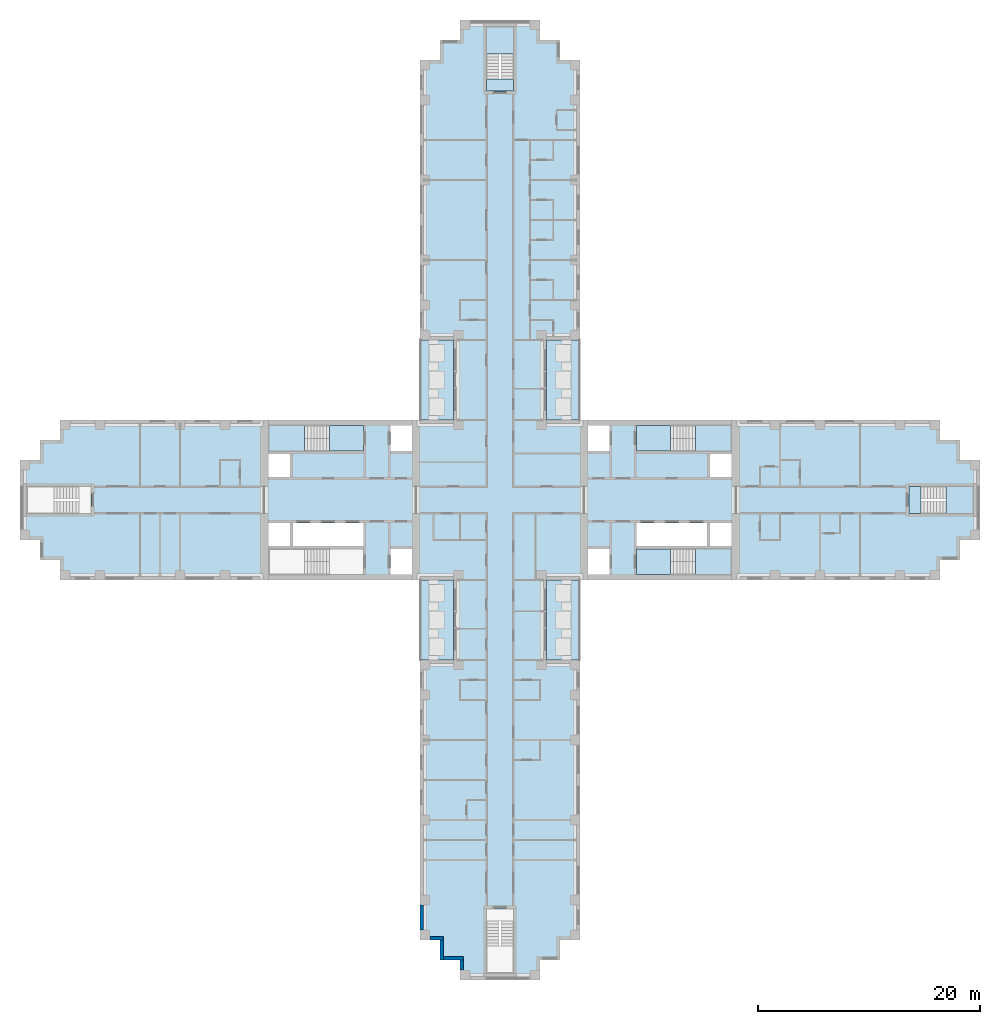
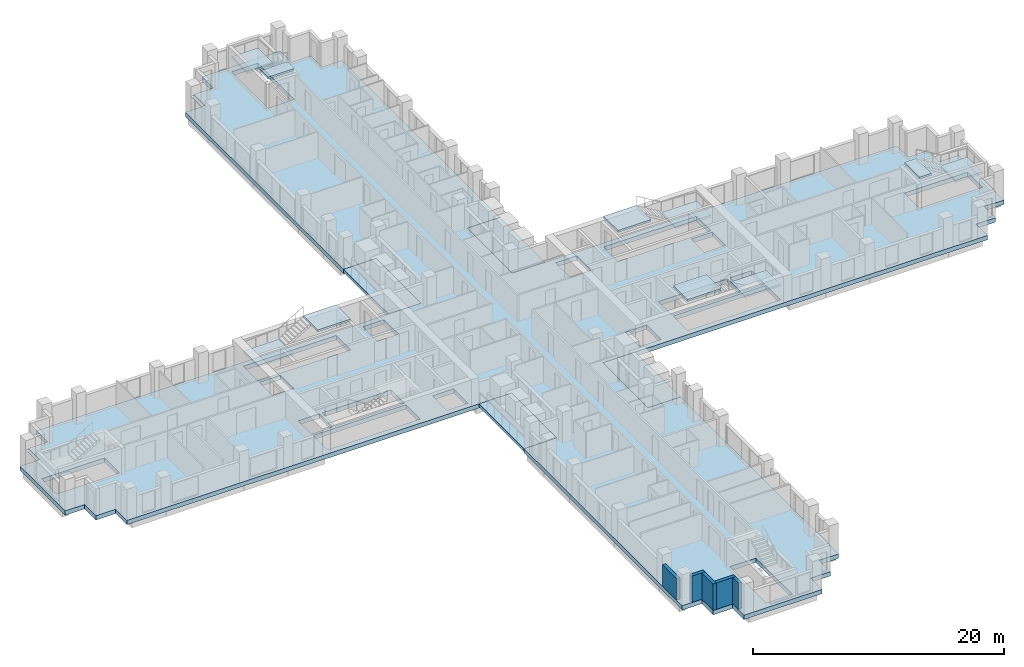
# One storey, part 2 of 15: 15 slabs, 5 walls, 5 elements without a shape of their own.
"""IFC4 building model written with IfcOpenShell, lengths in metres."""

import ifcopenshell
import ifcopenshell.guid

model = None  # the IFC model being written
_history = None  # IfcOwnerHistory: only IFC2X3 demands one
_inside = {}  # id of a spatial element -> (the spatial element, [elements in it])
_under = {}  # id of a project, library or spatial element -> (it, [spatial elements below it])
_declared = {}  # id of a project -> (the project, [libraries it declares])
_typed = {}  # id of a type object -> (the type object, [elements of that type])
_made_of = {}  # id of a material, layer set ... -> (it, [elements and type objects made of it])


def new_model(schema):
    """Start an empty IFC model of exactly this schema.

    Asked for "IFC4X3", IfcOpenShell would pick the latest addendum, in which some entities
    have other attributes; the version numbers below select the first issue.
    IFC2X3 requires an IfcOwnerHistory on every rooted entity: one is made here for all.
    """
    global model, _history
    if schema == "IFC4X3":
        model = ifcopenshell.file(schema_version=(4, 3, 0, 0))
    else:
        model = ifcopenshell.file(schema=schema)
    _inside.clear()
    _under.clear()
    _declared.clear()
    _typed.clear()
    _made_of.clear()
    _history = None
    if model.schema == "IFC2X3":
        org = make("IfcOrganization", Name="unknown")
        user = make(
            "IfcPersonAndOrganization",
            ThePerson=make("IfcPerson", FamilyName="unknown"),
            TheOrganization=org,
        )
        app = make(
            "IfcApplication",
            ApplicationDeveloper=org,
            Version="unknown",
            ApplicationFullName="unknown",
            ApplicationIdentifier="unknown",
        )
        _history = make(
            "IfcOwnerHistory",
            OwningUser=user,
            OwningApplication=app,
            ChangeAction="ADDED",
            CreationDate=0,
        )
    return model


def make(cls, **values):
    """One entity of the class cls with the attributes given. An attribute that is None is left unset."""
    return model.create_entity(
        cls, **{name: value for name, value in values.items() if value is not None}
    )


def rooted(cls, **values):
    """An entity with a GlobalId (a new one), such as an element, a storey or a relation."""
    return make(cls, GlobalId=ifcopenshell.guid.new(), OwnerHistory=_history, **values)


def si_unit(unit_type, name, prefix=None):
    """IfcSIUnit, for example si_unit("LENGTHUNIT", "METRE", prefix="MILLI")."""
    return make("IfcSIUnit", UnitType=unit_type, Prefix=prefix, Name=name)


def assignment(units):
    """IfcUnitAssignment: the units of a project."""
    return None if units is None else make("IfcUnitAssignment", Units=units)


def point(xyz):
    """IfcCartesianPoint."""
    return None if xyz is None else make("IfcCartesianPoint", Coordinates=xyz)


def direction(xyz):
    """IfcDirection."""
    return None if xyz is None else make("IfcDirection", DirectionRatios=xyz)


def frame(location, z_axis=None, x_axis=None):
    """IfcAxis2Placement3D, a coordinate frame: its origin and axes. An axis left out is left unset."""
    return make(
        "IfcAxis2Placement3D",
        Location=point(location),
        Axis=direction(z_axis),
        RefDirection=direction(x_axis),
    )


def frame_2d(location, x_axis=None):
    """IfcAxis2Placement2D, a coordinate frame in the plane: its origin and x axis."""
    return make(
        "IfcAxis2Placement2D", Location=point(location), RefDirection=direction(x_axis)
    )


def origin():
    """The frame at (0, 0, 0) with its axes left unset."""
    return frame((0.0, 0.0, 0.0))


def place(relative_to, where):
    """IfcLocalPlacement: puts the frame where relative to a parent placement (None: the world)."""
    return make(
        "IfcLocalPlacement", PlacementRelTo=relative_to, RelativePlacement=where
    )


def context(
    kind, dimensions, precision=None, world=None, true_north=None, identifier=None
):
    """IfcGeometricRepresentationContext, for example the 3D "Model" context."""
    return make(
        "IfcGeometricRepresentationContext",
        ContextIdentifier=identifier,
        ContextType=kind,
        CoordinateSpaceDimension=dimensions,
        Precision=precision,
        WorldCoordinateSystem=world,
        TrueNorth=true_north,
    )


def subcontext(parent, identifier, kind, view, scale=None):
    """IfcGeometricRepresentationSubContext, for example "Body" below "Model"."""
    return make(
        "IfcGeometricRepresentationSubContext",
        ContextIdentifier=identifier,
        ContextType=kind,
        ParentContext=parent,
        TargetScale=scale,
        TargetView=view,
    )


def project(units=None, contexts=None):
    """IfcProject with its units and contexts."""
    return rooted(
        "IfcProject",
        Name="project",
        RepresentationContexts=contexts,
        UnitsInContext=assignment(units),
    )


def spatial(cls, under=None, at=None, **own):
    """A site, building, storey or space (cls), placed at a placement, below another one or the project."""
    s = rooted(cls, ObjectPlacement=at, **own)
    if under is not None:
        _under.setdefault(under.id(), (under, []))[1].append(s)
    return s


def polyline(points):
    """IfcPolyline through the points."""
    return make("IfcPolyline", Points=[point(p) for p in points])


def profile(cls, at=None, kind="AREA", **sizes):
    """A parametric profile (cls). Its sizes go by their IFC names, for example OverallWidth=200.0."""
    return make(cls, ProfileType=kind, Position=at, **sizes)


def rectangle(**sizes):
    """IfcRectangleProfileDef."""
    return profile("IfcRectangleProfileDef", **sizes)


def outline(outer, holes=None, kind="AREA"):
    """IfcArbitraryClosedProfileDef: a profile drawn as a closed curve; with holes, ...WithVoids."""
    if holes is None:
        return make("IfcArbitraryClosedProfileDef", ProfileType=kind, OuterCurve=outer)
    return make(
        "IfcArbitraryProfileDefWithVoids",
        ProfileType=kind,
        OuterCurve=outer,
        InnerCurves=holes,
    )


def extrude(swept, where, along, depth):
    """IfcExtrudedAreaSolid: the profile swept, set in the frame where, extruded along a direction by depth."""
    return make(
        "IfcExtrudedAreaSolid",
        SweptArea=swept,
        Position=where,
        ExtrudedDirection=direction(along),
        Depth=depth,
    )


def shape(context_of_items, identifier, shape_type, items):
    """IfcShapeRepresentation: the items that make up one representation, for example the "Body"."""
    return make(
        "IfcShapeRepresentation",
        ContextOfItems=context_of_items,
        RepresentationIdentifier=identifier,
        RepresentationType=shape_type,
        Items=items,
    )


def material(Name=None, Category=None):
    """IfcMaterial."""
    return make("IfcMaterial", Name=Name, Category=Category)


def layer(
    of_material, thickness, ventilated=None, Name=None, Category=None, Priority=None
):
    """IfcMaterialLayer: one layer of a wall or slab, of a material (None: an air gap)."""
    return make(
        "IfcMaterialLayer",
        Material=of_material,
        LayerThickness=thickness,
        IsVentilated=ventilated,
        Name=Name,
        Category=Category,
        Priority=Priority,
    )


def layer_set(layers, Name=None):
    """IfcMaterialLayerSet."""
    return make("IfcMaterialLayerSet", MaterialLayers=layers, LayerSetName=Name)


def made_of(thing, what):
    """Note that an element or type object is made of a material, layer set ...; save() writes the relation."""
    if what is not None:
        _made_of.setdefault(what.id(), (what, []))[1].append(thing)
    return thing


def type_object(cls, material=None, **own):
    """A type object (cls), such as IfcWallType, which elements share."""
    return made_of(rooted(cls, **own), material)


def element(
    cls,
    number,
    at=None,
    inside=None,
    cuts=None,
    type_object=None,
    material=None,
    context=None,
    identifier="Body",
    shape_type=None,
    held_by="IfcProductDefinitionShape",
    body=None,
    shapes=None,
    **own,
):
    """One element of the class cls, such as IfcWall. Its Tag is "e" and its number.

    at: its placement. inside: the storey or other place that contains it. cuts: it is an
    opening in that element (IfcRelVoidsElement). A single representation is given by context,
    identifier, shape_type and body (its items); several are given by shapes. held_by: the class
    of the entity that holds the representations. save() writes the other relations.
    """
    e = rooted(cls, Tag="e%d" % number, ObjectPlacement=at, **own)
    if body is not None:
        shapes = [shape(context, identifier, shape_type, body)]
    if shapes is not None:
        e.Representation = make(held_by, Representations=shapes)
    if inside is not None:
        _inside.setdefault(inside.id(), (inside, []))[1].append(e)
    if cuts is not None:
        rooted(
            "IfcRelVoidsElement", RelatingBuildingElement=cuts, RelatedOpeningElement=e
        )
    if type_object is not None:
        _typed.setdefault(type_object.id(), (type_object, []))[1].append(e)
    return made_of(e, material)


def aggregate(whole, parts):
    """IfcRelAggregates: a whole, such as a stair, and the parts it consists of."""
    return rooted("IfcRelAggregates", RelatingObject=whole, RelatedObjects=parts)


def save(model, path):
    """Write the relations noted so far, then the file.

    IfcRelAggregates (storeys below a building ...), IfcRelContainedInSpatialStructure (elements
    in a storey), IfcRelDefinesByType, IfcRelAssociatesMaterial and IfcRelDeclares: one each for
    every whole, place, type object, material and project.
    """
    for whole, parts in _under.values():
        aggregate(whole, parts)
    for where, things in _inside.values():
        rooted(
            "IfcRelContainedInSpatialStructure",
            RelatedElements=things,
            RelatingStructure=where,
        )
    for kind, things in _typed.values():
        rooted("IfcRelDefinesByType", RelatedObjects=things, RelatingType=kind)
    for what, things in _made_of.values():
        rooted("IfcRelAssociatesMaterial", RelatedObjects=things, RelatingMaterial=what)
    for by, libraries in _declared.values():
        rooted("IfcRelDeclares", RelatingContext=by, RelatedDefinitions=libraries)
    model.write(path)


model = new_model("IFC4")

# Units and contexts
model_context = context("Model", 3, precision=1e-05, world=origin(), true_north=direction((0.0, 1.0)))
body_context = subcontext(model_context, "Body", "Model", "MODEL_VIEW")
ifc_project = project(units=[si_unit("LENGTHUNIT", "METRE"), si_unit("AREAUNIT", "SQUARE_METRE"), si_unit("VOLUMEUNIT", "CUBIC_METRE"), si_unit("PLANEANGLEUNIT", "RADIAN"), si_unit("MASSUNIT", "GRAM", prefix="KILO")], contexts=[model_context])

# Site, building, storey
site_placement = place(None, origin())
site = spatial("IfcSite", under=ifc_project, at=site_placement, CompositionType="ELEMENT")
building_placement = place(site_placement, origin())
building = spatial("IfcBuilding", under=site, at=building_placement, Name="Fustian Cross Tower", CompositionType="ELEMENT")
storey_placement = place(building_placement, frame((0.0, 0.0, 41.699951171875)))
storey = spatial("IfcBuildingStorey", under=building, at=storey_placement, Name="L12", CompositionType="ELEMENT", Elevation=41.699951171875)

# Slabs
ifc_material_1 = material(Name="Concrete C40/50", Category="concrete")
ifc_layer_1 = layer(ifc_material_1, 0.300048828125)
ifc_layer_set_1 = layer_set([ifc_layer_1], Name="Concrete C40/50")
slab_type_1 = type_object("IfcSlabType", Name="BS1 BALCONY SLAB 300", PredefinedType="FLOOR", material=ifc_layer_set_1)
slab_1_placement = place(storey_placement, frame((0.0, 0.0, -0.300048828125)))
element("IfcSlab", 1, at=slab_1_placement, inside=storey, type_object=slab_type_1, Name="Balcony slab", PredefinedType="FLOOR", context=body_context, shape_type="SweptSolid", body=[
    extrude(outline(polyline([(4.199951171875, 7.199951171875), (7.199951171875, 7.199951171875), (7.199951171875, 14.39990234375), (4.199951171875, 14.39990234375), (4.199951171875, 7.199951171875)])), origin(), (0.0, 0.0, 1.0), 0.300048828125),
])
slab_2_placement = place(storey_placement, frame((0.0, 0.0, -0.300048828125)))
element("IfcSlab", 2, at=slab_2_placement, inside=storey, type_object=slab_type_1, Name="Balcony slab", PredefinedType="FLOOR", context=body_context, shape_type="SweptSolid", body=[
    extrude(outline(polyline([(-7.199951171875, 7.199951171875), (-4.199951171875, 7.199951171875), (-4.199951171875, 14.39990234375), (-7.199951171875, 14.39990234375), (-7.199951171875, 7.199951171875)])), origin(), (0.0, 0.0, 1.0), 0.300048828125),
])
slab_3_placement = place(storey_placement, frame((0.0, 0.0, -0.300048828125)))
element("IfcSlab", 3, at=slab_3_placement, inside=storey, type_object=slab_type_1, Name="Balcony slab", PredefinedType="FLOOR", context=body_context, shape_type="SweptSolid", body=[
    extrude(outline(polyline([(4.199951171875, -14.39990234375), (7.199951171875, -14.39990234375), (7.199951171875, -7.199951171875), (4.199951171875, -7.199951171875), (4.199951171875, -14.39990234375)])), origin(), (0.0, 0.0, 1.0), 0.300048828125),
])
slab_4_placement = place(storey_placement, frame((0.0, 0.0, -0.300048828125)))
element("IfcSlab", 4, at=slab_4_placement, inside=storey, type_object=slab_type_1, Name="Balcony slab", PredefinedType="FLOOR", context=body_context, shape_type="SweptSolid", body=[
    extrude(outline(polyline([(-7.199951171875, -14.39990234375), (-4.199951171875, -14.39990234375), (-4.199951171875, -7.199951171875), (-7.199951171875, -7.199951171875), (-7.199951171875, -14.39990234375)])), origin(), (0.0, 0.0, 1.0), 0.300048828125),
])
ifc_material_2 = material(Name="Concrete C40/50", Category="concrete")
ifc_layer_2 = layer(ifc_material_2, 0.425048828125)
ifc_layer_set_2 = layer_set([ifc_layer_2], Name="Concrete C40/50")
slab_type_2 = type_object("IfcSlabType", Name="FLAT SLAB 425", PredefinedType="FLOOR", material=ifc_layer_set_2)
slab_5_placement = place(storey_placement, frame((0.0, 0.0, -0.425048828125)))
element("IfcSlab", 5, at=slab_5_placement, inside=storey, type_object=slab_type_2, Name="FLOOR SLAB L12-1", PredefinedType="FLOOR", context=body_context, shape_type="SweptSolid", body=[
    extrude(outline(polyline([(-4.199951171875, -7.199951171875), (-39.60009765625, -7.199951171875), (-39.60009765625, -5.39990234375), (-41.39990234375, -5.39990234375), (-41.39990234375, -3.60009765625), (-43.199951171875, -3.60009765625), (-43.199951171875, 3.60009765625), (-41.39990234375, 3.60009765625), (-41.39990234375, 5.39990234375), (-39.60009765625, 5.39990234375), (-39.60009765625, 7.199951171875), (-4.199951171875, 7.199951171875), (-4.199951171875, 14.39990234375), (-7.199951171875, 14.39990234375), (-7.199951171875, 39.60009765625), (-5.39990234375, 39.60009765625), (-5.39990234375, 41.39990234375), (-3.60009765625, 41.39990234375), (-3.60009765625, 43.199951171875), (3.60009765625, 43.199951171875), (3.60009765625, 41.39990234375), (5.39990234375, 41.39990234375), (5.39990234375, 39.60009765625), (7.199951171875, 39.60009765625), (7.199951171875, 14.39990234375), (4.199951171875, 14.39990234375), (4.199951171875, 7.199951171875), (39.60009765625, 7.199951171875), (39.60009765625, 5.39990234375), (41.39990234375, 5.39990234375), (41.39990234375, 3.60009765625), (43.199951171875, 3.60009765625), (43.199951171875, -3.60009765625), (41.39990234375, -3.60009765625), (41.39990234375, -5.39990234375), (39.60009765625, -5.39990234375), (39.60009765625, -7.199951171875), (4.199951171875, -7.199951171875), (4.199951171875, -14.39990234375), (7.199951171875, -14.39990234375), (7.199951171875, -39.60009765625), (5.39990234375, -39.60009765625), (5.39990234375, -41.39990234375), (3.60009765625, -41.39990234375), (3.60009765625, -43.199951171875), (-3.60009765625, -43.199951171875), (-3.60009765625, -41.39990234375), (-5.39990234375, -41.39990234375), (-5.39990234375, -39.60009765625), (-7.199951171875, -39.60009765625), (-7.199951171875, -14.39990234375), (-4.199951171875, -14.39990234375), (-4.199951171875, -7.199951171875)]), holes=[polyline([(18.89990234375, -2.050048828125), (18.89990234375, -4.14990234375), (20.85009765625, -4.14990234375), (20.85009765625, -2.050048828125), (18.89990234375, -2.050048828125)]), polyline([(20.85009765625, 4.14990234375), (18.89990234375, 4.14990234375), (18.89990234375, 2.050048828125), (20.85009765625, 2.050048828125), (20.85009765625, 4.14990234375)]), polyline([(9.85009765625, 4.39990234375), (9.85009765625, 6.699951171875), (7.89990234375, 6.699951171875), (7.89990234375, 4.39990234375), (9.85009765625, 4.39990234375)]), polyline([(7.89990234375, -6.699951171875), (9.85009765625, -6.699951171875), (9.85009765625, -4.39990234375), (7.89990234375, -4.39990234375), (7.89990234375, -6.699951171875)]), polyline([(-20.85009765625, -2.050048828125), (-20.85009765625, -4.14990234375), (-18.89990234375, -4.14990234375), (-18.89990234375, -2.050048828125), (-20.85009765625, -2.050048828125)]), polyline([(-18.89990234375, 4.14990234375), (-20.85009765625, 4.14990234375), (-20.85009765625, 2.050048828125), (-18.89990234375, 2.050048828125), (-18.89990234375, 4.14990234375)]), polyline([(-7.89990234375, 4.39990234375), (-7.89990234375, 6.699951171875), (-9.85009765625, 6.699951171875), (-9.85009765625, 4.39990234375), (-7.89990234375, 4.39990234375)]), polyline([(-9.85009765625, -6.699951171875), (-7.89990234375, -6.699951171875), (-7.89990234375, -4.39990234375), (-9.85009765625, -4.39990234375), (-9.85009765625, -6.699951171875)]), polyline([(12.300048828125, -2.050048828125), (12.300048828125, -4.14990234375), (18.64990234375, -4.14990234375), (18.64990234375, -2.050048828125), (12.300048828125, -2.050048828125)]), polyline([(-12.300048828125, -2.050048828125), (-18.64990234375, -2.050048828125), (-18.64990234375, -4.14990234375), (-12.300048828125, -4.14990234375), (-12.300048828125, -2.050048828125)]), polyline([(20.85009765625, 4.39990234375), (20.85009765625, 6.699951171875), (12.300048828125, 6.699951171875), (12.300048828125, 4.39990234375), (20.85009765625, 4.39990234375)]), polyline([(12.300048828125, -6.699951171875), (20.85009765625, -6.699951171875), (20.85009765625, -4.39990234375), (12.300048828125, -4.39990234375), (12.300048828125, -6.699951171875)]), polyline([(-20.85009765625, 6.699951171875), (-20.85009765625, 4.39990234375), (-12.300048828125, 4.39990234375), (-12.300048828125, 6.699951171875), (-20.85009765625, 6.699951171875)]), polyline([(-12.300048828125, -4.39990234375), (-20.85009765625, -4.39990234375), (-20.85009765625, -6.699951171875), (-12.300048828125, -6.699951171875), (-12.300048828125, -4.39990234375)]), polyline([(1.199951171875, 36.800048828125), (1.199951171875, 42.60009765625), (-1.199951171875, 42.60009765625), (-1.199951171875, 36.800048828125), (1.199951171875, 36.800048828125)]), polyline([(-1.199951171875, -42.60009765625), (1.199951171875, -42.60009765625), (1.199951171875, -36.800048828125), (-1.199951171875, -36.800048828125), (-1.199951171875, -42.60009765625)]), polyline([(36.800048828125, 1.199951171875), (36.800048828125, -1.199951171875), (42.60009765625, -1.199951171875), (42.60009765625, 1.199951171875), (36.800048828125, 1.199951171875)]), polyline([(-36.800048828125, 1.199951171875), (-42.60009765625, 1.199951171875), (-42.60009765625, -1.199951171875), (-36.800048828125, -1.199951171875), (-36.800048828125, 1.199951171875)])]), origin(), (0.0, 0.0, 1.0), 0.425048828125),
])

# Stair, slabs
ifc_material_3 = material(Name="Concrete C50/60", Category="concrete")
stair_type_1 = type_object("IfcStairType", Name="STAIR 1150 HALF TURN", PredefinedType="HALF_TURN_STAIR", material=ifc_material_3)
stair_1_placement = place(storey_placement, origin())
stair_1 = element("IfcStair", 6, at=stair_1_placement, inside=storey, type_object=stair_type_1, Name="Stair ST1", PredefinedType="HALF_TURN_STAIR")
ifc_material_4 = material(Name="Concrete C50/60", Category="concrete")
ifc_layer_3 = layer(ifc_material_4, 0.199951171875)
ifc_layer_set_3 = layer_set([ifc_layer_3], Name="Concrete C50/60")
slab_type_3 = type_object("IfcSlabType", Name="STAIR LANDING", PredefinedType="LANDING", material=ifc_layer_set_3)
slab_6_placement = place(storey_placement, frame((0.0, 0.0, 1.300048828125)))
slab_6 = element("IfcSlab", 7, at=slab_6_placement, type_object=slab_type_3, Name="ST1 landing 1", PredefinedType="LANDING", context=body_context, shape_type="SweptSolid", body=[
    extrude(outline(polyline([(17.590087890625, 4.39990234375), (20.85009765625, 4.39990234375), (20.85009765625, 6.699951171875), (17.590087890625, 6.699951171875), (17.590087890625, 4.39990234375)])), origin(), (0.0, 0.0, 1.0), 0.199951171875),
])
slab_7_placement = place(storey_placement, frame((0.0, 0.0, 2.800048828125)))
slab_7 = element("IfcSlab", 8, at=slab_7_placement, type_object=slab_type_3, Name="ST1 landing 2", PredefinedType="LANDING", context=body_context, shape_type="SweptSolid", body=[
    extrude(outline(polyline([(12.300048828125, 4.39990234375), (15.35009765625, 4.39990234375), (15.35009765625, 6.699951171875), (12.300048828125, 6.699951171875), (12.300048828125, 4.39990234375)])), origin(), (0.0, 0.0, 1.0), 0.199951171875),
])
aggregate(stair_1, [slab_6, slab_7])

stair_2_placement = place(storey_placement, origin())
stair_2 = element("IfcStair", 9, at=stair_2_placement, inside=storey, type_object=stair_type_1, Name="Stair ST2", PredefinedType="HALF_TURN_STAIR")
slab_8_placement = place(storey_placement, frame((0.0, 0.0, 1.300048828125)))
slab_8 = element("IfcSlab", 10, at=slab_8_placement, type_object=slab_type_3, Name="ST2 landing 1", PredefinedType="LANDING", context=body_context, shape_type="SweptSolid", body=[
    extrude(outline(polyline([(17.590087890625, -4.39990234375), (20.85009765625, -4.39990234375), (20.85009765625, -6.699951171875), (17.590087890625, -6.699951171875), (17.590087890625, -4.39990234375)])), origin(), (0.0, 0.0, 1.0), 0.199951171875),
])
slab_9_placement = place(storey_placement, frame((0.0, 0.0, 2.800048828125)))
slab_9 = element("IfcSlab", 11, at=slab_9_placement, type_object=slab_type_3, Name="ST2 landing 2", PredefinedType="LANDING", context=body_context, shape_type="SweptSolid", body=[
    extrude(outline(polyline([(12.300048828125, -4.39990234375), (15.35009765625, -4.39990234375), (15.35009765625, -6.699951171875), (12.300048828125, -6.699951171875), (12.300048828125, -4.39990234375)])), origin(), (0.0, 0.0, 1.0), 0.199951171875),
])
aggregate(stair_2, [slab_8, slab_9])

stair_3_placement = place(storey_placement, origin())
stair_3 = element("IfcStair", 12, at=stair_3_placement, inside=storey, type_object=stair_type_1, Name="Stair ST3", PredefinedType="HALF_TURN_STAIR")
slab_10_placement = place(storey_placement, frame((0.0, 0.0, 1.300048828125)))
slab_10 = element("IfcSlab", 13, at=slab_10_placement, type_object=slab_type_3, Name="ST3 landing 1", PredefinedType="LANDING", context=body_context, shape_type="SweptSolid", body=[
    extrude(outline(polyline([(-17.590087890625, 4.39990234375), (-20.85009765625, 4.39990234375), (-20.85009765625, 6.699951171875), (-17.590087890625, 6.699951171875), (-17.590087890625, 4.39990234375)])), origin(), (0.0, 0.0, 1.0), 0.199951171875),
])
slab_11_placement = place(storey_placement, frame((0.0, 0.0, 2.800048828125)))
slab_11 = element("IfcSlab", 14, at=slab_11_placement, type_object=slab_type_3, Name="ST3 landing 2", PredefinedType="LANDING", context=body_context, shape_type="SweptSolid", body=[
    extrude(outline(polyline([(-12.300048828125, 4.39990234375), (-15.35009765625, 4.39990234375), (-15.35009765625, 6.699951171875), (-12.300048828125, 6.699951171875), (-12.300048828125, 4.39990234375)])), origin(), (0.0, 0.0, 1.0), 0.199951171875),
])
aggregate(stair_3, [slab_10, slab_11])

ifc_material_5 = material(Name="Concrete C50/60", Category="concrete")
stair_type_2 = type_object("IfcStairType", Name="STAIR 1100 HALF TURN", PredefinedType="HALF_TURN_STAIR", material=ifc_material_5)
stair_4_placement = place(storey_placement, origin())
stair_4 = element("IfcStair", 15, at=stair_4_placement, inside=storey, type_object=stair_type_2, Name="Stair ST5", PredefinedType="HALF_TURN_STAIR")
slab_12_placement = place(storey_placement, frame((0.0, 0.0, 1.300048828125)))
slab_12 = element("IfcSlab", 16, at=slab_12_placement, type_object=slab_type_3, Name="ST5 landing 1", PredefinedType="LANDING", context=body_context, shape_type="SweptSolid", body=[
    extrude(outline(polyline([(-1.199951171875, 40.139892578125), (-1.199951171875, 42.60009765625), (1.199951171875, 42.60009765625), (1.199951171875, 40.139892578125), (-1.199951171875, 40.139892578125)])), origin(), (0.0, 0.0, 1.0), 0.199951171875),
])
slab_13_placement = place(storey_placement, frame((0.0, 0.0, 2.800048828125)))
slab_13 = element("IfcSlab", 17, at=slab_13_placement, type_object=slab_type_3, Name="ST5 landing 2", PredefinedType="LANDING", context=body_context, shape_type="SweptSolid", body=[
    extrude(outline(polyline([(-1.199951171875, 36.800048828125), (-1.199951171875, 37.89990234375), (1.199951171875, 37.89990234375), (1.199951171875, 36.800048828125), (-1.199951171875, 36.800048828125)])), origin(), (0.0, 0.0, 1.0), 0.199951171875),
])
aggregate(stair_4, [slab_12, slab_13])

stair_5_placement = place(storey_placement, origin())
stair_5 = element("IfcStair", 18, at=stair_5_placement, inside=storey, type_object=stair_type_2, Name="Stair ST8", PredefinedType="HALF_TURN_STAIR")
slab_14_placement = place(storey_placement, frame((0.0, 0.0, 1.300048828125)))
slab_14 = element("IfcSlab", 19, at=slab_14_placement, type_object=slab_type_3, Name="ST8 landing 1", PredefinedType="LANDING", context=body_context, shape_type="SweptSolid", body=[
    extrude(outline(polyline([(40.139892578125, -1.199951171875), (42.60009765625, -1.199951171875), (42.60009765625, 1.199951171875), (40.139892578125, 1.199951171875), (40.139892578125, -1.199951171875)])), origin(), (0.0, 0.0, 1.0), 0.199951171875),
])
slab_15_placement = place(storey_placement, frame((0.0, 0.0, 2.800048828125)))
slab_15 = element("IfcSlab", 20, at=slab_15_placement, type_object=slab_type_3, Name="ST8 landing 2", PredefinedType="LANDING", context=body_context, shape_type="SweptSolid", body=[
    extrude(outline(polyline([(36.800048828125, -1.199951171875), (37.89990234375, -1.199951171875), (37.89990234375, 1.199951171875), (36.800048828125, 1.199951171875), (36.800048828125, -1.199951171875)])), origin(), (0.0, 0.0, 1.0), 0.199951171875),
])
aggregate(stair_5, [slab_14, slab_15])

# Walls
ifc_material_6 = material(Name="Dark aluminium cladding on insulated backing wall", Category="aluminium")
ifc_layer_4 = layer(ifc_material_6, 0.300048828125)
ifc_layer_set_4 = layer_set([ifc_layer_4], Name="Dark aluminium cladding on insulated backing wall")
wall_type = type_object("IfcWallType", Name="XW1 EXTERNAL WALL 300", PredefinedType="SOLIDWALL", material=ifc_layer_set_4)
wall_1_placement = place(storey_placement, frame((-7.050048828125, -36.449951171875, 0.0), z_axis=(0.0, 0.0, 1.0), x_axis=(0.0, -1.0, 0.0)))
element("IfcWall", 21, at=wall_1_placement, inside=storey, type_object=wall_type, Name="External wall", PredefinedType="SOLIDWALL", context=body_context, shape_type="SweptSolid", body=[
    extrude(rectangle(XDim=2.25, YDim=0.300048828125, at=frame_2d((1.125, 0.0))), origin(), (0.0, 0.0, 1.0), 2.10009765625),
])
wall_2_placement = place(storey_placement, frame((-6.300048828125, -39.449951171875, 0.0), z_axis=(0.0, 0.0, 1.0), x_axis=(1.0, 0.0, 0.0)))
element("IfcWall", 22, at=wall_2_placement, inside=storey, type_object=wall_type, Name="External wall", PredefinedType="SOLIDWALL", context=body_context, shape_type="SweptSolid", body=[
    extrude(rectangle(XDim=1.199951171875, YDim=0.300048828125, at=frame_2d((0.60009765625, 0.0))), origin(), (0.0, 0.0, 1.0), 2.574951171875),
])
wall_3_placement = place(storey_placement, frame((-5.25, -39.60009765625, 0.0), z_axis=(0.0, 0.0, 1.0), x_axis=(0.0, -1.0, 0.0)))
element("IfcWall", 23, at=wall_3_placement, inside=storey, type_object=wall_type, Name="External wall", PredefinedType="SOLIDWALL", context=body_context, shape_type="SweptSolid", body=[
    extrude(rectangle(XDim=1.7998046875, YDim=0.300048828125, at=frame_2d((0.89990234375, 0.0))), origin(), (0.0, 0.0, 1.0), 2.574951171875),
])
wall_4_placement = place(storey_placement, frame((-5.10009765625, -41.25, 0.0), z_axis=(0.0, 0.0, 1.0), x_axis=(1.0, 0.0, 0.0)))
element("IfcWall", 24, at=wall_4_placement, inside=storey, type_object=wall_type, Name="External wall", PredefinedType="SOLIDWALL", context=body_context, shape_type="SweptSolid", body=[
    extrude(rectangle(XDim=1.800048828125, YDim=0.300048828125, at=frame_2d((0.89990234375, 0.0))), origin(), (0.0, 0.0, 1.0), 2.574951171875),
])
wall_5_placement = place(storey_placement, frame((-3.449951171875, -41.39990234375, 0.0), z_axis=(0.0, 0.0, 1.0), x_axis=(0.0, -1.0, 0.0)))
element("IfcWall", 25, at=wall_5_placement, inside=storey, type_object=wall_type, Name="External wall", PredefinedType="SOLIDWALL", context=body_context, shape_type="SweptSolid", body=[
    extrude(rectangle(XDim=0.900146484375, YDim=0.300048828125, at=frame_2d((0.4501953125, 0.0))), origin(), (0.0, 0.0, 1.0), 2.574951171875),
])

save(model, "model.ifc")
